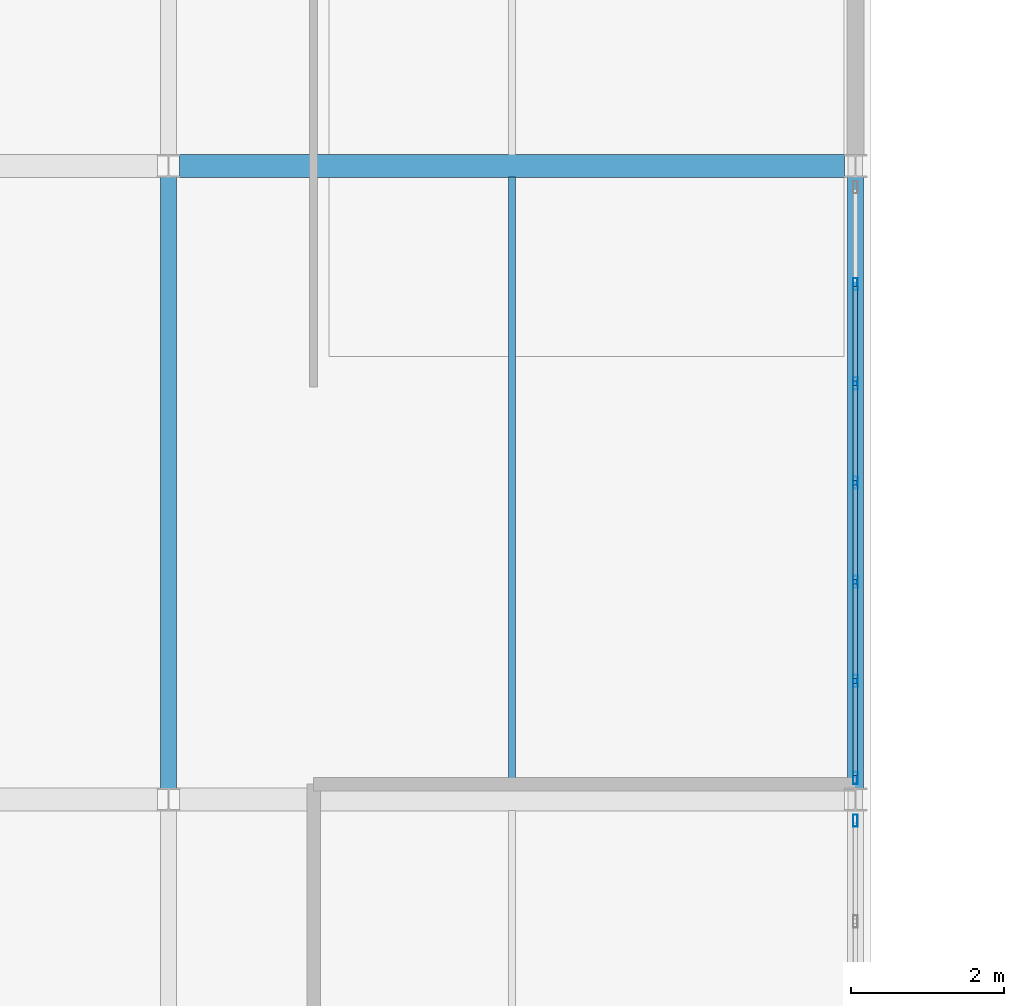
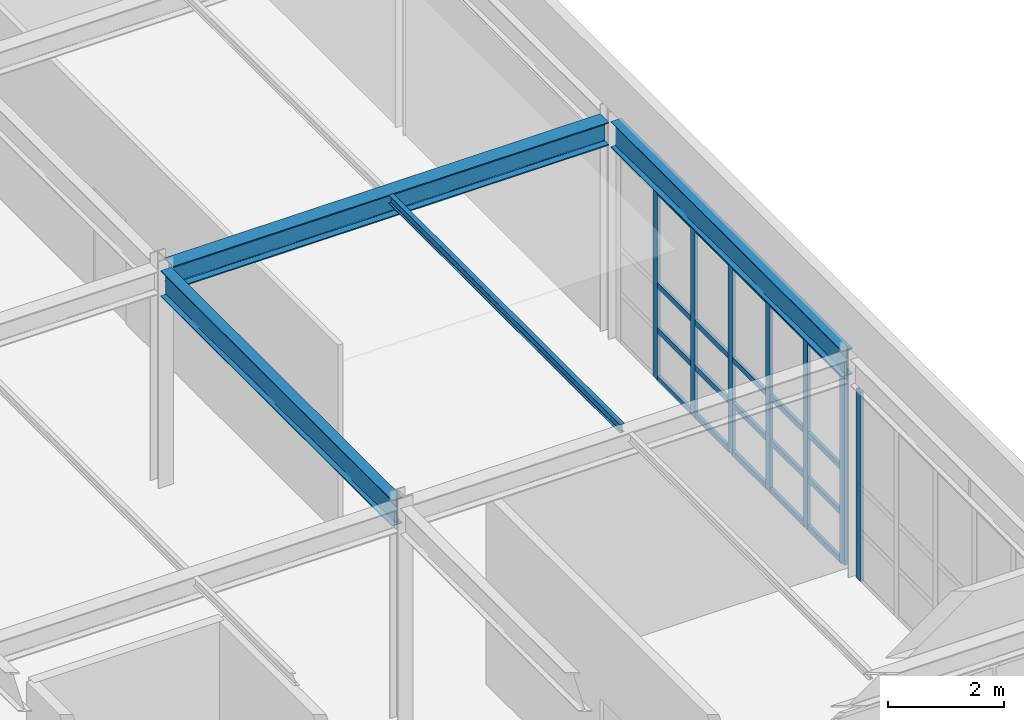
# One storey, part 23 of 38: 27 members, 4 beams, 2 elements without a shape of their own.
"""IFC4 building model written with IfcOpenShell, lengths in metres."""

from ifc_helpers import new_model, si_unit, direction, frame, origin, origin_2d, place, context, subcontext, project, spatial, hollow_rectangle, i_section, extrude, material, material_profile, profile_set, type_object, element, aggregate, save


model = new_model("IFC4")

# Units and contexts
model_context = context("Model", 3, precision=1e-05, world=origin(), true_north=direction((0.0, 1.0)))
body_context = subcontext(model_context, "Body", "Model", "MODEL_VIEW")
ifc_project = project(units=[si_unit("LENGTHUNIT", "METRE"), si_unit("AREAUNIT", "SQUARE_METRE"), si_unit("VOLUMEUNIT", "CUBIC_METRE"), si_unit("PLANEANGLEUNIT", "RADIAN"), si_unit("MASSUNIT", "GRAM", prefix="KILO")], contexts=[model_context])

# Site, building, storey
site_placement = place(None, origin())
site = spatial("IfcSite", under=ifc_project, at=site_placement, CompositionType="ELEMENT")
building_placement = place(site_placement, origin())
building = spatial("IfcBuilding", under=site, at=building_placement, Name="Kaldris Quays Convention Centre", CompositionType="ELEMENT")
storey_placement = place(building_placement, frame((0.0, 0.0, 21.60009765625)))
storey = spatial("IfcBuildingStorey", under=building, at=storey_placement, Name="L04", CompositionType="ELEMENT", Elevation=21.60009765625)

# Curtain wall, member
ifc_material_1 = material(Name="Anodized aluminium AW-6060 and triple glazing", Category="aluminium")
curtain_wall_type = type_object("IfcCurtainWallType", Name="UNITISED CURTAIN WALL CW04", PredefinedType="NOTDEFINED", material=ifc_material_1)
curtain_wall_1_placement = place(storey_placement, origin())
curtain_wall_1 = element("IfcCurtainWall", 1, at=curtain_wall_1_placement, inside=storey, type_object=curtain_wall_type, Name="L04 Unitised Curtain Wall CW04 149", PredefinedType="NOTDEFINED")
ifc_material_2 = material(Name="Anodized aluminium AW-6060", Category="aluminium")
ifc_material_profile_1 = material_profile(ifc_material_2, hollow_rectangle(XDim=0.06005859375, YDim=0.159912109375, WallThickness=0.00390625, at=origin_2d()), Name="RHS 160x60x4")
ifc_profile_set_1 = profile_set([ifc_material_profile_1], Name="Anodized aluminium AW-6060")
member_type_1 = type_object("IfcMemberType", Name="CURTAIN MULLION CWM1", PredefinedType="MULLION", material=ifc_profile_set_1)
member_1_placement = place(storey_placement, frame((164.0, 46.320068359375, 0.0), z_axis=(0.0, 0.0, 1.0), x_axis=(-1.0, 0.0, 0.0)))
member_1 = element("IfcMember", 2, at=member_1_placement, type_object=member_type_1, Name="CW04 mullion 7", PredefinedType="MULLION", context=body_context, shape_type="SweptSolid", body=[
    extrude(hollow_rectangle(XDim=0.06005859375, YDim=0.159912109375, WallThickness=0.00390625, at=origin_2d()), origin(), (0.0, 0.0, 1.0), 4.0),
])
aggregate(curtain_wall_1, [member_1])

# Curtain wall, members
curtain_wall_2_placement = place(storey_placement, origin())
curtain_wall_2 = element("IfcCurtainWall", 3, at=curtain_wall_2_placement, inside=storey, type_object=curtain_wall_type, Name="L04 Unitised Curtain Wall CW04 150", PredefinedType="NOTDEFINED")
member_2_placement = place(storey_placement, frame((164.0, 46.8798828125, 0.0), z_axis=(0.0, 0.0, 1.0), x_axis=(-1.0, 0.0, 0.0)))
member_2 = element("IfcMember", 4, at=member_2_placement, type_object=member_type_1, Name="CW04 mullion 1", PredefinedType="MULLION", context=body_context, shape_type="SweptSolid", body=[
    extrude(hollow_rectangle(XDim=0.06005859375, YDim=0.159912109375, WallThickness=0.00390625, at=origin_2d()), origin(), (0.0, 0.0, 1.0), 4.0),
])
member_3_placement = place(storey_placement, frame((164.0, 48.14990234375, 0.0), z_axis=(0.0, 0.0, 1.0), x_axis=(-1.0, 0.0, 0.0)))
member_3 = element("IfcMember", 5, at=member_3_placement, type_object=member_type_1, Name="CW04 mullion 2", PredefinedType="MULLION", context=body_context, shape_type="SweptSolid", body=[
    extrude(hollow_rectangle(XDim=0.06005859375, YDim=0.159912109375, WallThickness=0.00390625, at=origin_2d()), origin(), (0.0, 0.0, 1.0), 4.0),
])
member_4_placement = place(storey_placement, frame((164.0, 49.449951171875, 0.0), z_axis=(0.0, 0.0, 1.0), x_axis=(-1.0, 0.0, 0.0)))
member_4 = element("IfcMember", 6, at=member_4_placement, type_object=member_type_1, Name="CW04 mullion 3", PredefinedType="MULLION", context=body_context, shape_type="SweptSolid", body=[
    extrude(hollow_rectangle(XDim=0.06005859375, YDim=0.159912109375, WallThickness=0.00390625, at=origin_2d()), origin(), (0.0, 0.0, 1.0), 4.0),
])
member_5_placement = place(storey_placement, frame((164.0, 50.75, 0.0), z_axis=(0.0, 0.0, 1.0), x_axis=(-1.0, 0.0, 0.0)))
member_5 = element("IfcMember", 7, at=member_5_placement, type_object=member_type_1, Name="CW04 mullion 4", PredefinedType="MULLION", context=body_context, shape_type="SweptSolid", body=[
    extrude(hollow_rectangle(XDim=0.06005859375, YDim=0.159912109375, WallThickness=0.00390625, at=origin_2d()), origin(), (0.0, 0.0, 1.0), 4.0),
])
member_6_placement = place(storey_placement, frame((164.0, 52.050048828125, 0.0), z_axis=(0.0, 0.0, 1.0), x_axis=(-1.0, 0.0, 0.0)))
member_6 = element("IfcMember", 8, at=member_6_placement, type_object=member_type_1, Name="CW04 mullion 5", PredefinedType="MULLION", context=body_context, shape_type="SweptSolid", body=[
    extrude(hollow_rectangle(XDim=0.06005859375, YDim=0.159912109375, WallThickness=0.00390625, at=origin_2d()), origin(), (0.0, 0.0, 1.0), 4.0),
])
member_7_placement = place(storey_placement, frame((164.0, 53.35009765625, 0.0), z_axis=(0.0, 0.0, 1.0), x_axis=(-1.0, 0.0, 0.0)))
member_7 = element("IfcMember", 9, at=member_7_placement, type_object=member_type_1, Name="CW04 mullion 6", PredefinedType="MULLION", context=body_context, shape_type="SweptSolid", body=[
    extrude(hollow_rectangle(XDim=0.06005859375, YDim=0.159912109375, WallThickness=0.00390625, at=origin_2d()), origin(), (0.0, 0.0, 1.0), 4.0),
])
ifc_material_profile_2 = material_profile(ifc_material_2, hollow_rectangle(XDim=0.06005859375, YDim=0.1201171875, WallThickness=0.00390625, at=origin_2d()), Name="RHS 120x60x4")
ifc_profile_set_2 = profile_set([ifc_material_profile_2], Name="Anodized aluminium AW-6060")
member_type_2 = type_object("IfcMemberType", Name="CURTAIN TRANSOM CWT1", PredefinedType="USERDEFINED", material=ifc_profile_set_2)
member_8_placement = place(storey_placement, frame((164.0, 46.909912109375, 0.02978515625), z_axis=(0.0, 1.0, 0.0), x_axis=(-1.0, 0.0, 0.0)))
member_8 = element("IfcMember", 10, at=member_8_placement, type_object=member_type_2, Name="CW04 transom 1.1", ObjectType="TRANSOM", PredefinedType="USERDEFINED", context=body_context, shape_type="SweptSolid", body=[
    extrude(hollow_rectangle(XDim=0.06005859375, YDim=0.1201171875, WallThickness=0.00390625, at=origin_2d()), origin(), (0.0, 0.0, 1.0), 1.210205078125),
])
member_9_placement = place(storey_placement, frame((164.0, 46.909912109375, 1.0498046875), z_axis=(0.0, 1.0, 0.0), x_axis=(-1.0, 0.0, 0.0)))
member_9 = element("IfcMember", 11, at=member_9_placement, type_object=member_type_2, Name="CW04 transom 1.2", ObjectType="TRANSOM", PredefinedType="USERDEFINED", context=body_context, shape_type="SweptSolid", body=[
    extrude(hollow_rectangle(XDim=0.06005859375, YDim=0.1201171875, WallThickness=0.00390625, at=origin_2d()), origin(), (0.0, 0.0, 1.0), 1.210205078125),
])
member_10_placement = place(storey_placement, frame((164.0, 46.909912109375, 2.0), z_axis=(0.0, 1.0, 0.0), x_axis=(-1.0, 0.0, 0.0)))
member_10 = element("IfcMember", 12, at=member_10_placement, type_object=member_type_2, Name="CW04 transom 1.3", ObjectType="TRANSOM", PredefinedType="USERDEFINED", context=body_context, shape_type="SweptSolid", body=[
    extrude(hollow_rectangle(XDim=0.06005859375, YDim=0.1201171875, WallThickness=0.00390625, at=origin_2d()), origin(), (0.0, 0.0, 1.0), 1.210205078125),
])
member_11_placement = place(storey_placement, frame((164.0, 46.909912109375, 3.969970703125), z_axis=(0.0, 1.0, 0.0), x_axis=(-1.0, 0.0, 0.0)))
member_11 = element("IfcMember", 13, at=member_11_placement, type_object=member_type_2, Name="CW04 transom 1.4", ObjectType="TRANSOM", PredefinedType="USERDEFINED", context=body_context, shape_type="SweptSolid", body=[
    extrude(hollow_rectangle(XDim=0.06005859375, YDim=0.1201171875, WallThickness=0.00390625, at=origin_2d()), origin(), (0.0, 0.0, 1.0), 1.210205078125),
])
member_12_placement = place(storey_placement, frame((164.0, 48.179931640625, 0.02978515625), z_axis=(0.0, 1.0, 0.0), x_axis=(-1.0, 0.0, 0.0)))
member_12 = element("IfcMember", 14, at=member_12_placement, type_object=member_type_2, Name="CW04 transom 2.1", ObjectType="TRANSOM", PredefinedType="USERDEFINED", context=body_context, shape_type="SweptSolid", body=[
    extrude(hollow_rectangle(XDim=0.06005859375, YDim=0.1201171875, WallThickness=0.00390625, at=origin_2d()), origin(), (0.0, 0.0, 1.0), 1.239990234375),
])
member_13_placement = place(storey_placement, frame((164.0, 48.179931640625, 1.0498046875), z_axis=(0.0, 1.0, 0.0), x_axis=(-1.0, 0.0, 0.0)))
member_13 = element("IfcMember", 15, at=member_13_placement, type_object=member_type_2, Name="CW04 transom 2.2", ObjectType="TRANSOM", PredefinedType="USERDEFINED", context=body_context, shape_type="SweptSolid", body=[
    extrude(hollow_rectangle(XDim=0.06005859375, YDim=0.1201171875, WallThickness=0.00390625, at=origin_2d()), origin(), (0.0, 0.0, 1.0), 1.239990234375),
])
member_14_placement = place(storey_placement, frame((164.0, 48.179931640625, 2.0), z_axis=(0.0, 1.0, 0.0), x_axis=(-1.0, 0.0, 0.0)))
member_14 = element("IfcMember", 16, at=member_14_placement, type_object=member_type_2, Name="CW04 transom 2.3", ObjectType="TRANSOM", PredefinedType="USERDEFINED", context=body_context, shape_type="SweptSolid", body=[
    extrude(hollow_rectangle(XDim=0.06005859375, YDim=0.1201171875, WallThickness=0.00390625, at=origin_2d()), origin(), (0.0, 0.0, 1.0), 1.239990234375),
])
member_15_placement = place(storey_placement, frame((164.0, 48.179931640625, 3.969970703125), z_axis=(0.0, 1.0, 0.0), x_axis=(-1.0, 0.0, 0.0)))
member_15 = element("IfcMember", 17, at=member_15_placement, type_object=member_type_2, Name="CW04 transom 2.4", ObjectType="TRANSOM", PredefinedType="USERDEFINED", context=body_context, shape_type="SweptSolid", body=[
    extrude(hollow_rectangle(XDim=0.06005859375, YDim=0.1201171875, WallThickness=0.00390625, at=origin_2d()), origin(), (0.0, 0.0, 1.0), 1.239990234375),
])
member_16_placement = place(storey_placement, frame((164.0, 49.47998046875, 0.02978515625), z_axis=(0.0, 1.0, 0.0), x_axis=(-1.0, 0.0, 0.0)))
member_16 = element("IfcMember", 18, at=member_16_placement, type_object=member_type_2, Name="CW04 transom 3.1", ObjectType="TRANSOM", PredefinedType="USERDEFINED", context=body_context, shape_type="SweptSolid", body=[
    extrude(hollow_rectangle(XDim=0.06005859375, YDim=0.1201171875, WallThickness=0.00390625, at=origin_2d()), origin(), (0.0, 0.0, 1.0), 1.239990234375),
])
member_17_placement = place(storey_placement, frame((164.0, 49.47998046875, 1.0498046875), z_axis=(0.0, 1.0, 0.0), x_axis=(-1.0, 0.0, 0.0)))
member_17 = element("IfcMember", 19, at=member_17_placement, type_object=member_type_2, Name="CW04 transom 3.2", ObjectType="TRANSOM", PredefinedType="USERDEFINED", context=body_context, shape_type="SweptSolid", body=[
    extrude(hollow_rectangle(XDim=0.06005859375, YDim=0.1201171875, WallThickness=0.00390625, at=origin_2d()), origin(), (0.0, 0.0, 1.0), 1.239990234375),
])
member_18_placement = place(storey_placement, frame((164.0, 49.47998046875, 2.0), z_axis=(0.0, 1.0, 0.0), x_axis=(-1.0, 0.0, 0.0)))
member_18 = element("IfcMember", 20, at=member_18_placement, type_object=member_type_2, Name="CW04 transom 3.3", ObjectType="TRANSOM", PredefinedType="USERDEFINED", context=body_context, shape_type="SweptSolid", body=[
    extrude(hollow_rectangle(XDim=0.06005859375, YDim=0.1201171875, WallThickness=0.00390625, at=origin_2d()), origin(), (0.0, 0.0, 1.0), 1.239990234375),
])
member_19_placement = place(storey_placement, frame((164.0, 49.47998046875, 3.969970703125), z_axis=(0.0, 1.0, 0.0), x_axis=(-1.0, 0.0, 0.0)))
member_19 = element("IfcMember", 21, at=member_19_placement, type_object=member_type_2, Name="CW04 transom 3.4", ObjectType="TRANSOM", PredefinedType="USERDEFINED", context=body_context, shape_type="SweptSolid", body=[
    extrude(hollow_rectangle(XDim=0.06005859375, YDim=0.1201171875, WallThickness=0.00390625, at=origin_2d()), origin(), (0.0, 0.0, 1.0), 1.239990234375),
])
member_20_placement = place(storey_placement, frame((164.0, 50.780029296875, 0.02978515625), z_axis=(0.0, 1.0, 0.0), x_axis=(-1.0, 0.0, 0.0)))
member_20 = element("IfcMember", 22, at=member_20_placement, type_object=member_type_2, Name="CW04 transom 4.1", ObjectType="TRANSOM", PredefinedType="USERDEFINED", context=body_context, shape_type="SweptSolid", body=[
    extrude(hollow_rectangle(XDim=0.06005859375, YDim=0.1201171875, WallThickness=0.00390625, at=origin_2d()), origin(), (0.0, 0.0, 1.0), 1.239990234375),
])
member_21_placement = place(storey_placement, frame((164.0, 50.780029296875, 1.0498046875), z_axis=(0.0, 1.0, 0.0), x_axis=(-1.0, 0.0, 0.0)))
member_21 = element("IfcMember", 23, at=member_21_placement, type_object=member_type_2, Name="CW04 transom 4.2", ObjectType="TRANSOM", PredefinedType="USERDEFINED", context=body_context, shape_type="SweptSolid", body=[
    extrude(hollow_rectangle(XDim=0.06005859375, YDim=0.1201171875, WallThickness=0.00390625, at=origin_2d()), origin(), (0.0, 0.0, 1.0), 1.239990234375),
])
member_22_placement = place(storey_placement, frame((164.0, 50.780029296875, 2.0), z_axis=(0.0, 1.0, 0.0), x_axis=(-1.0, 0.0, 0.0)))
member_22 = element("IfcMember", 24, at=member_22_placement, type_object=member_type_2, Name="CW04 transom 4.3", ObjectType="TRANSOM", PredefinedType="USERDEFINED", context=body_context, shape_type="SweptSolid", body=[
    extrude(hollow_rectangle(XDim=0.06005859375, YDim=0.1201171875, WallThickness=0.00390625, at=origin_2d()), origin(), (0.0, 0.0, 1.0), 1.239990234375),
])
member_23_placement = place(storey_placement, frame((164.0, 50.780029296875, 3.969970703125), z_axis=(0.0, 1.0, 0.0), x_axis=(-1.0, 0.0, 0.0)))
member_23 = element("IfcMember", 25, at=member_23_placement, type_object=member_type_2, Name="CW04 transom 4.4", ObjectType="TRANSOM", PredefinedType="USERDEFINED", context=body_context, shape_type="SweptSolid", body=[
    extrude(hollow_rectangle(XDim=0.06005859375, YDim=0.1201171875, WallThickness=0.00390625, at=origin_2d()), origin(), (0.0, 0.0, 1.0), 1.239990234375),
])
member_24_placement = place(storey_placement, frame((164.0, 52.080078125, 0.02978515625), z_axis=(0.0, 1.0, 0.0), x_axis=(-1.0, 0.0, 0.0)))
member_24 = element("IfcMember", 26, at=member_24_placement, type_object=member_type_2, Name="CW04 transom 5.1", ObjectType="TRANSOM", PredefinedType="USERDEFINED", context=body_context, shape_type="SweptSolid", body=[
    extrude(hollow_rectangle(XDim=0.06005859375, YDim=0.1201171875, WallThickness=0.00390625, at=origin_2d()), origin(), (0.0, 0.0, 1.0), 1.239990234375),
])
member_25_placement = place(storey_placement, frame((164.0, 52.080078125, 1.0498046875), z_axis=(0.0, 1.0, 0.0), x_axis=(-1.0, 0.0, 0.0)))
member_25 = element("IfcMember", 27, at=member_25_placement, type_object=member_type_2, Name="CW04 transom 5.2", ObjectType="TRANSOM", PredefinedType="USERDEFINED", context=body_context, shape_type="SweptSolid", body=[
    extrude(hollow_rectangle(XDim=0.06005859375, YDim=0.1201171875, WallThickness=0.00390625, at=origin_2d()), origin(), (0.0, 0.0, 1.0), 1.239990234375),
])
member_26_placement = place(storey_placement, frame((164.0, 52.080078125, 2.0), z_axis=(0.0, 1.0, 0.0), x_axis=(-1.0, 0.0, 0.0)))
member_26 = element("IfcMember", 28, at=member_26_placement, type_object=member_type_2, Name="CW04 transom 5.3", ObjectType="TRANSOM", PredefinedType="USERDEFINED", context=body_context, shape_type="SweptSolid", body=[
    extrude(hollow_rectangle(XDim=0.06005859375, YDim=0.1201171875, WallThickness=0.00390625, at=origin_2d()), origin(), (0.0, 0.0, 1.0), 1.239990234375),
])
member_27_placement = place(storey_placement, frame((164.0, 52.080078125, 3.969970703125), z_axis=(0.0, 1.0, 0.0), x_axis=(-1.0, 0.0, 0.0)))
member_27 = element("IfcMember", 29, at=member_27_placement, type_object=member_type_2, Name="CW04 transom 5.4", ObjectType="TRANSOM", PredefinedType="USERDEFINED", context=body_context, shape_type="SweptSolid", body=[
    extrude(hollow_rectangle(XDim=0.06005859375, YDim=0.1201171875, WallThickness=0.00390625, at=origin_2d()), origin(), (0.0, 0.0, 1.0), 1.239990234375),
])
aggregate(curtain_wall_2, [member_2, member_3, member_4, member_5, member_6, member_7, member_8, member_9, member_10, member_11, member_12, member_13, member_14, member_15, member_16, member_17, member_18, member_19, member_20, member_21, member_22, member_23, member_24, member_25, member_26, member_27])

# Beams
ifc_material_3 = material(Name="Steel S355J2", Category="steel")
ifc_material_profile_3 = material_profile(ifc_material_3, i_section(OverallWidth=0.300048828125, OverallDepth=0.489990234375, WebThickness=0.011962890625, FlangeThickness=0.02294921875, FilletRadius=0.027099609375, at=origin_2d()), Name="HEA 500")
ifc_profile_set_3 = profile_set([ifc_material_profile_3], Name="Steel S355J2")
beam_type_1 = type_object("IfcBeamType", Name="STRUCTURAL BEAM BM09", PredefinedType="BEAM", material=ifc_profile_set_3)
beam_1_placement = place(storey_placement, frame((155.14404296875, 54.89990234375, 4.347900390625), z_axis=(1.0, 0.0, 0.0), x_axis=(0.0, 1.0, 0.0)))
element("IfcBeam", 30, at=beam_1_placement, inside=storey, type_object=beam_type_1, Name="L04 Girder BM09 24", PredefinedType="BEAM", context=body_context, shape_type="SweptSolid", body=[
    extrude(i_section(OverallWidth=0.300048828125, OverallDepth=0.489990234375, WebThickness=0.011962890625, FlangeThickness=0.02294921875, FilletRadius=0.027099609375, at=origin_2d()), origin(), (0.0, 0.0, 1.0), 8.7119140625),
])
ifc_material_profile_4 = material_profile(ifc_material_3, i_section(OverallWidth=0.2099609375, OverallDepth=0.550048828125, WebThickness=0.010986328125, FlangeThickness=0.01708984375, FilletRadius=0.02392578125, at=origin_2d()), Name="IPE 550")
ifc_profile_set_4 = profile_set([ifc_material_profile_4], Name="Steel S355J2")
beam_type_2 = type_object("IfcBeamType", Name="STRUCTURAL BEAM BM11", PredefinedType="BEAM", material=ifc_profile_set_4)
for number, where, z_axis, x_axis, name in (
    (31, (155.0, 46.743896484375, 4.31787109375), (0.0, 1.0, 0.0), (-1.0, 0.0, 0.0), "L04 Girder BM11 56"),
    (32, (164.0, 46.743896484375, 4.31787109375), (0.0, 1.0, 0.0), (-1.0, 0.0, 0.0), "L04 Girder BM11 65"),
):
    element("IfcBeam", number, at=place(storey_placement, frame(where, z_axis=z_axis, x_axis=x_axis)), inside=storey, type_object=beam_type_2, Name=name, PredefinedType="BEAM", context=body_context, shape_type="SweptSolid", body=[
        extrude(i_section(OverallWidth=0.2099609375, OverallDepth=0.550048828125, WebThickness=0.010986328125, FlangeThickness=0.01708984375, FilletRadius=0.02392578125, at=origin_2d()), origin(), (0.0, 0.0, 1.0), 8.01220703125),
    ])
ifc_material_profile_5 = material_profile(ifc_material_3, i_section(OverallWidth=0.091064453125, OverallDepth=0.179931640625, WebThickness=0.00537109375, FlangeThickness=0.008056640625, FilletRadius=0.009033203125, at=origin_2d()), Name="IPE 180")
ifc_profile_set_5 = profile_set([ifc_material_profile_5], Name="Steel S355J2")
beam_type_3 = type_object("IfcBeamType", Name="STRUCTURAL BEAM JT10", PredefinedType="JOIST", material=ifc_profile_set_5)
beam_2_placement = place(storey_placement, frame((159.5, 46.743896484375, 4.5029296875), z_axis=(0.0, 1.0, 0.0), x_axis=(-1.0, 0.0, 0.0)))
element("IfcBeam", 33, at=beam_2_placement, inside=storey, type_object=beam_type_3, Name="L04 Secondary Joist JT10 10", PredefinedType="JOIST", context=body_context, shape_type="SweptSolid", body=[
    extrude(i_section(OverallWidth=0.091064453125, OverallDepth=0.179931640625, WebThickness=0.00537109375, FlangeThickness=0.008056640625, FilletRadius=0.009033203125, at=origin_2d()), origin(), (0.0, 0.0, 1.0), 8.01220703125),
])

save(model, "model.ifc")
